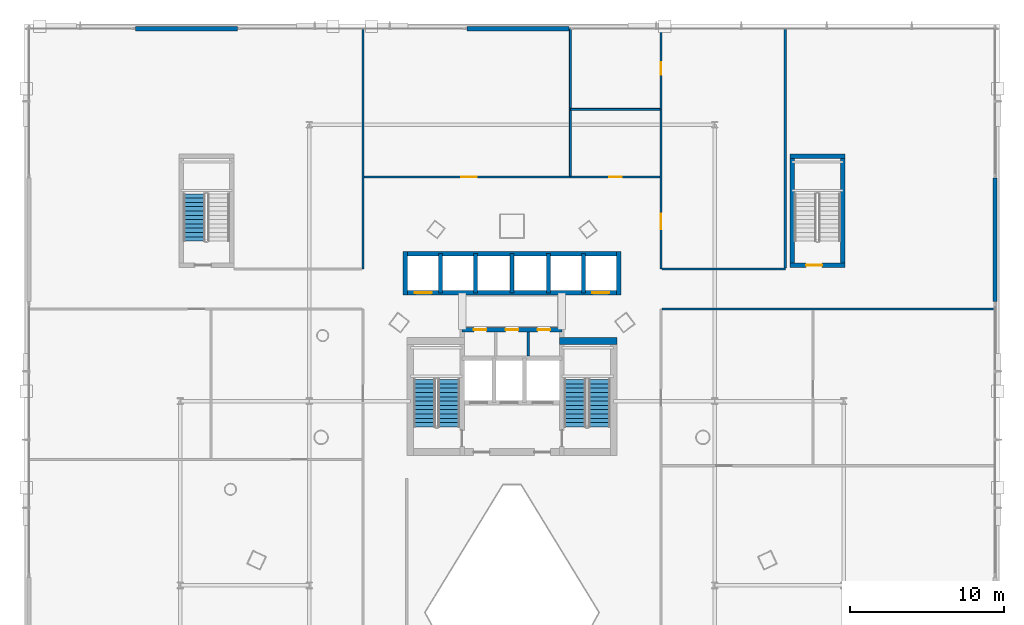
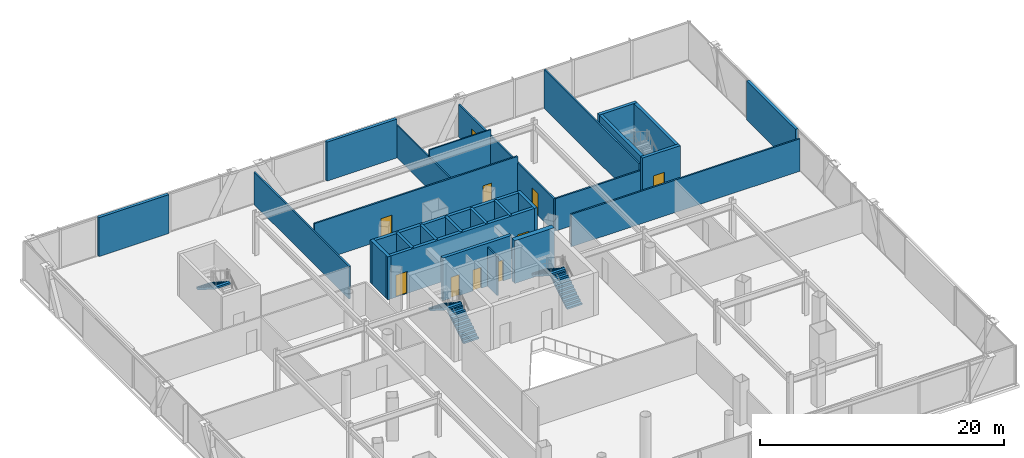
# One storey, part 38 of 46: 27 walls, 10 doors, 5 stair flights, 10 openings, 3 elements without a shape of their own.
"""IFC4 building model written with IfcOpenShell, lengths in metres."""

from ifc_helpers import new_model, si_unit, direction, frame, frame_2d, origin, place, context, subcontext, project, spatial, polyline, rectangle, outline, extrude, material, layer, layer_set, type_object, element, fill, aggregate, save


model = new_model("IFC4")

# Units and contexts
model_context = context("Model", 3, precision=1e-05, world=origin(), true_north=direction((0.0, 1.0)))
body_context = subcontext(model_context, "Body", "Model", "MODEL_VIEW")
ifc_project = project(units=[si_unit("LENGTHUNIT", "METRE"), si_unit("AREAUNIT", "SQUARE_METRE"), si_unit("VOLUMEUNIT", "CUBIC_METRE"), si_unit("PLANEANGLEUNIT", "RADIAN"), si_unit("MASSUNIT", "GRAM", prefix="KILO")], contexts=[model_context])

# Site, building, storey
site_placement = place(None, origin())
site = spatial("IfcSite", under=ifc_project, at=site_placement, CompositionType="ELEMENT")
building_placement = place(site_placement, origin())
building = spatial("IfcBuilding", under=site, at=building_placement, Name="Orvanel Arch Residences", CompositionType="ELEMENT")
storey_placement = place(building_placement, frame((0.0, 0.0, 14.10009765625)))
storey = spatial("IfcBuildingStorey", under=building, at=storey_placement, Name="L03", CompositionType="ELEMENT", Elevation=14.10009765625)

# Walls
ifc_material_1 = material(Name="Precast concrete N50 (50 MPa)", Category="concrete")
ifc_layer_1 = layer(ifc_material_1, 0.280029296875)
ifc_layer_set_1 = layer_set([ifc_layer_1], Name="Precast concrete N50 (50 MPa)")
wall_type_1 = type_object("IfcWallType", Name="EW-POD-280", PredefinedType="SOLIDWALL", material=ifc_layer_set_1)
wall_1_placement = place(storey_placement, frame((8.47998046875, 54.25, 0.0), z_axis=(0.0, 0.0, 1.0), x_axis=(1.0, 0.0, 0.0)))
element("IfcWall", 1, at=wall_1_placement, inside=storey, type_object=wall_type_1, Name="L03 Podium Solid North Panel Wall NP1", PredefinedType="SOLIDWALL", context=body_context, shape_type="SweptSolid", body=[
    extrude(rectangle(XDim=6.64013671875, YDim=0.280029296875, at=frame_2d((3.320068359375, 0.0))), origin(), (0.0, 0.0, 1.0), 3.89990234375),
])
wall_2_placement = place(storey_placement, frame((30.080078125, 54.25, 0.0), z_axis=(0.0, 0.0, 1.0), x_axis=(1.0, 0.0, 0.0)))
element("IfcWall", 2, at=wall_2_placement, inside=storey, type_object=wall_type_1, Name="L03 Podium Solid North Panel Wall NP2", PredefinedType="SOLIDWALL", context=body_context, shape_type="SweptSolid", body=[
    extrude(rectangle(XDim=6.639892578125, YDim=0.280029296875, at=frame_2d((3.31982421875, 0.0))), origin(), (0.0, 0.0, 1.0), 3.89990234375),
])
wall_3_placement = place(storey_placement, frame((64.449951171875, 36.47998046875, 0.0), z_axis=(0.0, 0.0, 1.0), x_axis=(0.0, 1.0, 0.0)))
element("IfcWall", 3, at=wall_3_placement, inside=storey, type_object=wall_type_1, Name="L03 Podium Solid E Panel Wall 2", PredefinedType="SOLIDWALL", context=body_context, shape_type="SweptSolid", body=[
    extrude(rectangle(XDim=8.0400390625, YDim=0.280029296875, at=frame_2d((4.02001953125, 0.0))), origin(), (0.0, 0.0, 1.0), 3.89990234375),
])
ifc_material_2 = material(Name="Concrete N50 (50 MPa)", Category="concrete")
ifc_layer_2 = layer(ifc_material_2, 0.25)
ifc_layer_set_2 = layer_set([ifc_layer_2], Name="Concrete N50 (50 MPa)")
wall_type_2 = type_object("IfcWallType", Name="SW-CORE-250", PredefinedType="SHEAR", material=ifc_layer_set_2)
for number, where, z_axis, x_axis, name in (
    (4, (28.35009765625, 37.050048828125, 0.0), (0.0, 0.0, 1.0), (0.0, 1.0, 0.0), "L03 Passenger Lift Inter-Shaft Wall P13"),
    (5, (30.625, 37.050048828125, 0.0), (0.0, 0.0, 1.0), (0.0, 1.0, 0.0), "L03 Passenger Lift Inter-Shaft Wall P35"),
    (6, (33.0, 37.050048828125, 0.0), (0.0, 0.0, 1.0), (0.0, 1.0, 0.0), "L03 Passenger Lift Inter-Shaft Wall P56"),
    (7, (35.375, 37.050048828125, 0.0), (0.0, 0.0, 1.0), (0.0, 1.0, 0.0), "L03 Passenger Lift Inter-Shaft Wall P64"),
    (8, (37.64990234375, 37.050048828125, 0.0), (0.0, 0.0, 1.0), (0.0, 1.0, 0.0), "L03 Passenger Lift Inter-Shaft Wall P42"),
):
    element("IfcWall", number, at=place(storey_placement, frame(where, z_axis=z_axis, x_axis=x_axis)), inside=storey, type_object=wall_type_2, Name=name, PredefinedType="SHEAR", context=body_context, shape_type="SweptSolid", body=[
        extrude(rectangle(XDim=2.550048828125, YDim=0.25, at=frame_2d((1.27490234375, 0.0))), origin(), (0.0, 0.0, 1.0), 4.2998046875),
    ])

# Wall, openings, doors
ifc_material_3 = material(Name="Concrete S80 (80 MPa)", Category="concrete")
ifc_layer_3 = layer(ifc_material_3, 0.300048828125)
ifc_layer_set_3 = layer_set([ifc_layer_3], Name="Concrete S80 (80 MPa)")
wall_type_3 = type_object("IfcWallType", Name="SW-CORE-300", PredefinedType="SHEAR", material=ifc_layer_set_3)
wall_4_placement = place(storey_placement, frame((29.75, 34.64990234375, 0.0), z_axis=(0.0, 0.0, 1.0), x_axis=(1.0, 0.0, 0.0)))
wall_4 = element("IfcWall", 9, at=wall_4_placement, inside=storey, type_object=wall_type_3, Name="L03 Core Service Band North Shear Wall", PredefinedType="SHEAR", context=body_context, shape_type="SweptSolid", body=[
    extrude(rectangle(XDim=6.5, YDim=0.300048828125, at=frame_2d((3.25, 0.0))), origin(), (0.0, 0.0, 1.0), 4.2998046875),
])
opening_1_placement = place(wall_4_placement, frame((0.764892578125, 0.0, 0.0)))
opening_1 = element("IfcOpeningElement", 10, at=opening_1_placement, cuts=wall_4, Name="Opening DS-082", PredefinedType="OPENING", context=body_context, shape_type="SweptSolid", body=[
    extrude(rectangle(XDim=0.820068359375, YDim=2.10009765625, at=frame_2d((0.41015625, 1.050048828125))), frame((0.0, 0.159912109375, 0.0), z_axis=(0.0, -1.0, 0.0), x_axis=(1.0, 0.0, 0.0)), (0.0, 0.0, 1.0), 0.320068359375),
])
opening_2_placement = place(wall_4_placement, frame((2.840087890625, 0.0, 0.0)))
opening_2 = element("IfcOpeningElement", 11, at=opening_2_placement, cuts=wall_4, Name="Opening DS-082", PredefinedType="OPENING", context=body_context, shape_type="SweptSolid", body=[
    extrude(rectangle(XDim=0.820068359375, YDim=2.10009765625, at=frame_2d((0.41015625, 1.050048828125))), frame((0.0, 0.159912109375, 0.0), z_axis=(0.0, -1.0, 0.0), x_axis=(1.0, 0.0, 0.0)), (0.0, 0.0, 1.0), 0.320068359375),
])
opening_3_placement = place(wall_4_placement, frame((4.9150390625, 0.0, 0.0)))
opening_3 = element("IfcOpeningElement", 12, at=opening_3_placement, cuts=wall_4, Name="Opening DS-082", PredefinedType="OPENING", context=body_context, shape_type="SweptSolid", body=[
    extrude(rectangle(XDim=0.820068359375, YDim=2.10009765625, at=frame_2d((0.41015625, 1.050048828125))), frame((0.0, 0.159912109375, 0.0), z_axis=(0.0, -1.0, 0.0), x_axis=(1.0, 0.0, 0.0)), (0.0, 0.0, 1.0), 0.320068359375),
])
ifc_material_4 = material(Name="Galvanised steel fire-resisting door assembly", Category="steel")
door_type_1 = type_object("IfcDoorType", Name="DR-SVC-820", OperationType="NOTDEFINED", PredefinedType="DOOR", material=ifc_material_4)
door_1_placement = place(opening_1_placement, origin())
door_1 = element("IfcDoor", 13, at=door_1_placement, inside=storey, type_object=door_type_1, Name="DR-L03-CSVC-1 L03 Housekeeping Store Door", OperationType="SINGLE_SWING_LEFT", OverallHeight=2.10009765625, OverallWidth=0.820068359375, PredefinedType="DOOR", context=body_context, shape_type="SweptSolid", body=[
    extrude(rectangle(XDim=0.820068359375, YDim=2.10009765625, at=frame_2d((0.41015625, 1.050048828125))), frame((0.0, 0.02490234375, 0.0), z_axis=(0.0, -1.0, 0.0), x_axis=(1.0, 0.0, 0.0)), (0.0, 0.0, 1.0), 0.050048828125),
])
fill(opening_1, door_1)
door_2_placement = place(opening_2_placement, origin())
door_2 = element("IfcDoor", 14, at=door_2_placement, inside=storey, type_object=door_type_1, Name="DR-L03-CSVC-2 L03 Cleaner's Store Door", OperationType="SINGLE_SWING_LEFT", OverallHeight=2.10009765625, OverallWidth=0.820068359375, PredefinedType="DOOR", context=body_context, shape_type="SweptSolid", body=[
    extrude(rectangle(XDim=0.820068359375, YDim=2.10009765625, at=frame_2d((0.41015625, 1.050048828125))), frame((0.0, 0.02490234375, 0.0), z_axis=(0.0, -1.0, 0.0), x_axis=(1.0, 0.0, 0.0)), (0.0, 0.0, 1.0), 0.050048828125),
])
fill(opening_2, door_2)
door_3_placement = place(opening_3_placement, origin())
door_3 = element("IfcDoor", 15, at=door_3_placement, inside=storey, type_object=door_type_1, Name="DR-L03-CSVC-3 L03 Comms Riser Store Door", OperationType="SINGLE_SWING_LEFT", OverallHeight=2.10009765625, OverallWidth=0.820068359375, PredefinedType="DOOR", context=body_context, shape_type="SweptSolid", body=[
    extrude(rectangle(XDim=0.820068359375, YDim=2.10009765625, at=frame_2d((0.41015625, 1.050048828125))), frame((0.0, 0.02490234375, 0.0), z_axis=(0.0, -1.0, 0.0), x_axis=(1.0, 0.0, 0.0)), (0.0, 0.0, 1.0), 0.050048828125),
])
fill(opening_3, door_3)

wall_5_placement = place(storey_placement, frame((40.10009765625, 37.050048828125, 0.0), z_axis=(0.0, 0.0, 1.0), x_axis=(-1.0, 0.0, 0.0)))
wall_5 = element("IfcWall", 16, at=wall_5_placement, inside=storey, type_object=wall_type_3, Name="L03 Passenger Lift Bank Front Shear Wall", PredefinedType="SHEAR", context=body_context, shape_type="SweptSolid", body=[
    extrude(rectangle(XDim=14.2001953125, YDim=0.300048828125, at=frame_2d((7.10009765625, 0.0))), origin(), (0.0, 0.0, 1.0), 4.2998046875),
])
opening_4_placement = place(wall_5_placement, frame((12.324951171875, 0.0, 0.0)))
opening_4 = element("IfcOpeningElement", 17, at=opening_4_placement, cuts=wall_5, Name="Opening LD-110", PredefinedType="OPENING", context=body_context, shape_type="SweptSolid", body=[
    extrude(rectangle(XDim=1.10009765625, YDim=2.199951171875, at=frame_2d((0.550048828125, 1.10009765625))), frame((0.0, 0.159912109375, 0.0), z_axis=(0.0, -1.0, 0.0), x_axis=(1.0, 0.0, 0.0)), (0.0, 0.0, 1.0), 0.320068359375),
])
opening_5_placement = place(wall_5_placement, frame((0.77490234375, 0.0, 0.0)))
opening_5 = element("IfcOpeningElement", 18, at=opening_5_placement, cuts=wall_5, Name="Opening LD-110", PredefinedType="OPENING", context=body_context, shape_type="SweptSolid", body=[
    extrude(rectangle(XDim=1.10009765625, YDim=2.199951171875, at=frame_2d((0.550048828125, 1.10009765625))), frame((0.0, 0.159912109375, 0.0), z_axis=(0.0, -1.0, 0.0), x_axis=(1.0, 0.0, 0.0)), (0.0, 0.0, 1.0), 0.320068359375),
])
door_type_2 = type_object("IfcDoorType", Name="DR-LFT-1100", OperationType="NOTDEFINED", PredefinedType="DOOR", material=ifc_material_4)
door_4_placement = place(opening_4_placement, origin())
door_4 = element("IfcDoor", 19, at=door_4_placement, inside=storey, type_object=door_type_2, Name="LD-P1-L03 L03 Passenger Lift P1 Sliding Landing Door", OperationType="DOUBLE_DOOR_SLIDING", OverallHeight=2.199951171875, OverallWidth=1.10009765625, PredefinedType="DOOR", context=body_context, shape_type="SweptSolid", body=[
    extrude(rectangle(XDim=1.10009765625, YDim=2.199951171875, at=frame_2d((0.550048828125, 1.10009765625))), frame((0.0, 0.02490234375, 0.0), z_axis=(0.0, -1.0, 0.0), x_axis=(1.0, 0.0, 0.0)), (0.0, 0.0, 1.0), 0.050048828125),
])
fill(opening_4, door_4)
door_5_placement = place(opening_5_placement, origin())
door_5 = element("IfcDoor", 20, at=door_5_placement, inside=storey, type_object=door_type_2, Name="LD-P2-L03 L03 Passenger Lift P2 Sliding Landing Door", OperationType="DOUBLE_DOOR_SLIDING", OverallHeight=2.199951171875, OverallWidth=1.10009765625, PredefinedType="DOOR", context=body_context, shape_type="SweptSolid", body=[
    extrude(rectangle(XDim=1.10009765625, YDim=2.199951171875, at=frame_2d((0.550048828125, 1.10009765625))), frame((0.0, 0.02490234375, 0.0), z_axis=(0.0, -1.0, 0.0), x_axis=(1.0, 0.0, 0.0)), (0.0, 0.0, 1.0), 0.050048828125),
])
fill(opening_5, door_5)

# Walls
wall_6_placement = place(storey_placement, frame((25.89990234375, 39.60009765625, 0.0), z_axis=(0.0, 0.0, 1.0), x_axis=(1.0, 0.0, 0.0)))
element("IfcWall", 21, at=wall_6_placement, inside=storey, type_object=wall_type_3, Name="L03 Passenger Lift Bank North Shear Wall", PredefinedType="SHEAR", context=body_context, shape_type="SweptSolid", body=[
    extrude(rectangle(XDim=14.2001953125, YDim=0.300048828125, at=frame_2d((7.10009765625, 0.0))), origin(), (0.0, 0.0, 1.0), 4.2998046875),
])
for number, where, z_axis, x_axis, name in (
    (22, (26.050048828125, 36.89990234375, 0.0), (0.0, 0.0, 1.0), (0.0, 1.0, 0.0), "L03 Passenger Lift Bank West Shear Wall"),
    (23, (39.949951171875, 36.89990234375, 0.0), (0.0, 0.0, 1.0), (0.0, 1.0, 0.0), "L03 Passenger Lift Bank East Shear Wall"),
):
    element("IfcWall", number, at=place(storey_placement, frame(where, z_axis=z_axis, x_axis=x_axis)), inside=storey, type_object=wall_type_3, Name=name, PredefinedType="SHEAR", context=body_context, shape_type="SweptSolid", body=[
        extrude(rectangle(XDim=2.85009765625, YDim=0.300048828125, at=frame_2d((1.425048828125, 0.0))), origin(), (0.0, 0.0, 1.0), 4.2998046875),
    ])
for number, where, z_axis, x_axis, name in (
    (24, (51.25, 38.699951171875, 0.0), (0.0, 0.0, 1.0), (0.0, 1.0, 0.0), "L03 ST4 West Shear Wall"),
    (25, (54.550048828125, 38.699951171875, 0.0), (0.0, 0.0, 1.0), (0.0, 1.0, 0.0), "L03 ST4 East Shear Wall"),
):
    element("IfcWall", number, at=place(storey_placement, frame(where, z_axis=z_axis, x_axis=x_axis)), inside=storey, type_object=wall_type_3, Name=name, PredefinedType="SHEAR", context=body_context, shape_type="SweptSolid", body=[
        extrude(rectangle(XDim=7.400146484375, YDim=0.300048828125, at=frame_2d((3.7001953125, 0.0))), origin(), (0.0, 0.0, 1.0), 4.2998046875),
    ])
wall_7_placement = place(storey_placement, frame((51.10009765625, 45.949951171875, 0.0), z_axis=(0.0, 0.0, 1.0), x_axis=(1.0, 0.0, 0.0)))
element("IfcWall", 26, at=wall_7_placement, inside=storey, type_object=wall_type_3, Name="L03 ST4 North Shear Wall", PredefinedType="SHEAR", context=body_context, shape_type="SweptSolid", body=[
    extrude(rectangle(XDim=3.599853515625, YDim=0.300048828125, at=frame_2d((1.7998046875, 0.0))), origin(), (0.0, 0.0, 1.0), 4.2998046875),
])

# Wall, opening, door
wall_8_placement = place(storey_placement, frame((51.10009765625, 38.85009765625, 0.0), z_axis=(0.0, 0.0, 1.0), x_axis=(1.0, 0.0, 0.0)))
wall_8 = element("IfcWall", 27, at=wall_8_placement, inside=storey, type_object=wall_type_3, Name="L03 ST4 South Shear Wall", PredefinedType="SHEAR", context=body_context, shape_type="SweptSolid", body=[
    extrude(rectangle(XDim=3.599853515625, YDim=0.300048828125, at=frame_2d((1.7998046875, 0.0))), origin(), (0.0, 0.0, 1.0), 4.2998046875),
])
opening_6_placement = place(wall_8_placement, frame((1.050048828125, 0.0, 0.0)))
opening_6 = element("IfcOpeningElement", 28, at=opening_6_placement, cuts=wall_8, Name="Opening DF-120", PredefinedType="OPENING", context=body_context, shape_type="SweptSolid", body=[
    extrude(rectangle(XDim=1.050048828125, YDim=2.14990234375, at=frame_2d((0.52490234375, 1.074951171875))), frame((0.0, 0.159912109375, 0.0), z_axis=(0.0, -1.0, 0.0), x_axis=(1.0, 0.0, 0.0)), (0.0, 0.0, 1.0), 0.320068359375),
])
door_type_3 = type_object("IfcDoorType", Name="DR-FD120-1050", OperationType="NOTDEFINED", PredefinedType="DOOR", material=ifc_material_4)
door_6_placement = place(opening_6_placement, origin())
door_6 = element("IfcDoor", 29, at=door_6_placement, inside=storey, type_object=door_type_3, Name="DR-L03-ST4 L03 ST4 Exit Door", OperationType="SINGLE_SWING_LEFT", OverallHeight=2.14990234375, OverallWidth=1.050048828125, PredefinedType="DOOR", context=body_context, shape_type="SweptSolid", body=[
    extrude(rectangle(XDim=1.050048828125, YDim=2.14990234375, at=frame_2d((0.52490234375, 1.074951171875))), frame((0.0, 0.02490234375, 0.0), z_axis=(0.0, -1.0, 0.0), x_axis=(1.0, 0.0, 0.0)), (0.0, 0.0, 1.0), 0.050048828125),
])
fill(opening_6, door_6)

# Walls
ifc_layer_4 = layer(ifc_material_3, 0.449951171875)
ifc_layer_set_4 = layer_set([ifc_layer_4], Name="Concrete S80 (80 MPa)")
wall_type_4 = type_object("IfcWallType", Name="SW-CORE-450", PredefinedType="SHEAR", material=ifc_layer_set_4)
wall_9_placement = place(storey_placement, frame((36.10009765625, 33.925048828125, 0.0), z_axis=(0.0, 0.0, 1.0), x_axis=(1.0, 0.0, 0.0)))
element("IfcWall", 30, at=wall_9_placement, inside=storey, type_object=wall_type_4, Name="L03 East Stair North Shear Wall", PredefinedType="SHEAR", context=body_context, shape_type="SweptSolid", body=[
    extrude(rectangle(XDim=3.75, YDim=0.449951171875, at=frame_2d((1.875, 0.0))), origin(), (0.0, 0.0, 1.0), 4.2998046875),
])
ifc_material_5 = material(Name="Acoustic plasterboard lined twin-stud partition", Category="gypsum")
ifc_layer_5 = layer(ifc_material_5, 0.14990234375)
ifc_layer_set_5 = layer_set([ifc_layer_5], Name="Acoustic plasterboard lined twin-stud partition")
wall_type_5 = type_object("IfcWallType", Name="W-POD-150", PredefinedType="PARTITIONING", material=ifc_layer_set_5)
wall_10_placement = place(storey_placement, frame((42.760009765625, 36.0, 0.0), z_axis=(0.0, 0.0, 1.0), x_axis=(1.0, 0.0, 0.0)))
element("IfcWall", 31, at=wall_10_placement, inside=storey, type_object=wall_type_5, Name="L03 East Wing North Wall", PredefinedType="PARTITIONING", context=body_context, shape_type="SweptSolid", body=[
    extrude(rectangle(XDim=21.675048828125, YDim=0.14990234375, at=frame_2d((10.83740234375, 0.0))), origin(), (0.0, 0.0, 1.0), 3.2529296875),
])
wall_11_placement = place(storey_placement, frame((23.300048828125, 38.60009765625, 0.0), z_axis=(0.0, 0.0, 1.0), x_axis=(0.0, 1.0, 0.0)))
element("IfcWall", 32, at=wall_11_placement, inside=storey, type_object=wall_type_5, Name="L03 W Outer Corridor Wall", PredefinedType="PARTITIONING", context=body_context, shape_type="SweptSolid", body=[
    extrude(rectangle(XDim=15.635009765625, YDim=0.14990234375, at=frame_2d((7.8173828125, 0.0))), origin(), (0.0, 0.0, 1.0), 3.2529296875),
])

# Wall, openings, doors
wall_12_placement = place(storey_placement, frame((42.699951171875, 38.60009765625, 0.0), z_axis=(0.0, 0.0, 1.0), x_axis=(0.0, 1.0, 0.0)))
wall_12 = element("IfcWall", 33, at=wall_12_placement, inside=storey, type_object=wall_type_5, Name="L03 E Outer Corridor Wall", PredefinedType="PARTITIONING", context=body_context, shape_type="SweptSolid", body=[
    extrude(rectangle(XDim=15.635009765625, YDim=0.14990234375, at=frame_2d((7.8173828125, 0.0))), origin(), (0.0, 0.0, 1.0), 3.2529296875),
])
opening_7_placement = place(wall_12_placement, frame((12.639892578125, 0.0, 0.0)))
opening_7 = element("IfcOpeningElement", 34, at=opening_7_placement, cuts=wall_12, Name="Opening DS-082", PredefinedType="OPENING", context=body_context, shape_type="SweptSolid", body=[
    extrude(rectangle(XDim=0.820068359375, YDim=2.10009765625, at=frame_2d((0.41015625, 1.050048828125))), frame((0.0, 0.0849609375, 0.0), z_axis=(0.0, -1.0, 0.0), x_axis=(1.0, 0.0, 0.0)), (0.0, 0.0, 1.0), 0.169921875),
])
opening_8_placement = place(wall_12_placement, frame((2.60009765625, 0.0, 0.0)))
opening_8 = element("IfcOpeningElement", 35, at=opening_8_placement, cuts=wall_12, Name="Opening DP-100", PredefinedType="OPENING", context=body_context, shape_type="SweptSolid", body=[
    extrude(rectangle(XDim=1.0, YDim=2.199951171875, at=frame_2d((0.5, 1.10009765625))), frame((0.0, 0.0849609375, 0.0), z_axis=(0.0, -1.0, 0.0), x_axis=(1.0, 0.0, 0.0)), (0.0, 0.0, 1.0), 0.169921875),
])
ifc_material_6 = material(Name="Solid-core European oak veneer fire door leaf", Category="wood")
door_type_4 = type_object("IfcDoorType", Name="DR-POD-1000", OperationType="NOTDEFINED", PredefinedType="DOOR", material=ifc_material_6)
door_7_placement = place(opening_8_placement, origin())
door_7 = element("IfcDoor", 36, at=door_7_placement, inside=storey, type_object=door_type_4, Name="DR-L03-NE L03 Medical Records Archive Store Door", OperationType="SINGLE_SWING_LEFT", OverallHeight=2.199951171875, OverallWidth=1.0, PredefinedType="DOOR", context=body_context, shape_type="SweptSolid", body=[
    extrude(rectangle(XDim=1.0, YDim=2.199951171875, at=frame_2d((0.5, 1.10009765625))), frame((0.0, 0.02490234375, 0.0), z_axis=(0.0, -1.0, 0.0), x_axis=(1.0, 0.0, 0.0)), (0.0, 0.0, 1.0), 0.050048828125),
])
fill(opening_8, door_7)
door_8_placement = place(opening_7_placement, origin())
door_8 = element("IfcDoor", 37, at=door_8_placement, inside=storey, type_object=door_type_1, Name="DR-L03-JAN L03 Cleaners Door", OperationType="SINGLE_SWING_LEFT", OverallHeight=2.10009765625, OverallWidth=0.820068359375, PredefinedType="DOOR", context=body_context, shape_type="SweptSolid", body=[
    extrude(rectangle(XDim=0.820068359375, YDim=2.10009765625, at=frame_2d((0.41015625, 1.050048828125))), frame((0.0, 0.02490234375, 0.0), z_axis=(0.0, -1.0, 0.0), x_axis=(1.0, 0.0, 0.0)), (0.0, 0.0, 1.0), 0.050048828125),
])
fill(opening_7, door_8)

# Walls
wall_13_placement = place(storey_placement, frame((42.760009765625, 38.60009765625, 0.0), z_axis=(0.0, 0.0, 1.0), x_axis=(1.0, 0.0, 0.0)))
element("IfcWall", 38, at=wall_13_placement, inside=storey, type_object=wall_type_5, Name="L03 NE Suite South Wall", PredefinedType="PARTITIONING", context=body_context, shape_type="SweptSolid", body=[
    extrude(rectangle(XDim=8.0400390625, YDim=0.14990234375, at=frame_2d((4.02001953125, 0.0))), origin(), (0.0, 0.0, 1.0), 3.2529296875),
])
wall_14_placement = place(storey_placement, frame((50.800048828125, 38.659912109375, 0.0), z_axis=(0.0, 0.0, 1.0), x_axis=(0.0, 1.0, 0.0)))
element("IfcWall", 39, at=wall_14_placement, inside=storey, type_object=wall_type_5, Name="L03 NE Suite East Wall", PredefinedType="PARTITIONING", context=body_context, shape_type="SweptSolid", body=[
    extrude(rectangle(XDim=15.5751953125, YDim=0.14990234375, at=frame_2d((7.78759765625, 0.0))), origin(), (0.0, 0.0, 1.0), 3.89990234375),
])

# Wall, openings, doors
wall_15_placement = place(storey_placement, frame((23.360107421875, 44.60009765625, 0.0), z_axis=(0.0, 0.0, 1.0), x_axis=(1.0, 0.0, 0.0)))
wall_15 = element("IfcWall", 40, at=wall_15_placement, inside=storey, type_object=wall_type_5, Name="L03 N Corridor Wall", PredefinedType="PARTITIONING", context=body_context, shape_type="SweptSolid", body=[
    extrude(rectangle(XDim=19.27978515625, YDim=0.14990234375, at=frame_2d((9.639892578125, 0.0))), origin(), (0.0, 0.0, 1.0), 3.89990234375),
])
opening_9_placement = place(wall_15_placement, frame((6.340087890625, 0.0, 0.0)))
opening_9 = element("IfcOpeningElement", 41, at=opening_9_placement, cuts=wall_15, Name="Opening DP-100", PredefinedType="OPENING", context=body_context, shape_type="SweptSolid", body=[
    extrude(rectangle(XDim=1.0, YDim=2.199951171875, at=frame_2d((0.5, 1.10009765625))), frame((0.0, 0.0849609375, 0.0), z_axis=(0.0, -1.0, 0.0), x_axis=(1.0, 0.0, 0.0)), (0.0, 0.0, 1.0), 0.169921875),
])
opening_10_placement = place(wall_15_placement, frame((15.97998046875, 0.0, 0.0)))
opening_10 = element("IfcOpeningElement", 42, at=opening_10_placement, cuts=wall_15, Name="Opening DW-082", PredefinedType="OPENING", context=body_context, shape_type="SweptSolid", body=[
    extrude(rectangle(XDim=0.820068359375, YDim=2.10009765625, at=frame_2d((0.41015625, 1.050048828125))), frame((0.0, 0.0849609375, 0.0), z_axis=(0.0, -1.0, 0.0), x_axis=(1.0, 0.0, 0.0)), (0.0, 0.0, 1.0), 0.169921875),
])
door_9_placement = place(opening_9_placement, origin())
door_9 = element("IfcDoor", 43, at=door_9_placement, inside=storey, type_object=door_type_4, Name="DR-L03-N L03 Diagnostic Radiology Clinic Door", OperationType="SINGLE_SWING_LEFT", OverallHeight=2.199951171875, OverallWidth=1.0, PredefinedType="DOOR", context=body_context, shape_type="SweptSolid", body=[
    extrude(rectangle(XDim=1.0, YDim=2.199951171875, at=frame_2d((0.5, 1.10009765625))), frame((0.0, 0.02490234375, 0.0), z_axis=(0.0, -1.0, 0.0), x_axis=(1.0, 0.0, 0.0)), (0.0, 0.0, 1.0), 0.050048828125),
])
fill(opening_9, door_9)
door_type_5 = type_object("IfcDoorType", Name="DR-WET-820", OperationType="NOTDEFINED", PredefinedType="DOOR", material=ifc_material_6)
door_10_placement = place(opening_10_placement, origin())
door_10 = element("IfcDoor", 44, at=door_10_placement, inside=storey, type_object=door_type_5, Name="DR-L03-WC L03 Accessible WC Door", OperationType="SINGLE_SWING_RIGHT", OverallHeight=2.10009765625, OverallWidth=0.820068359375, PredefinedType="DOOR", context=body_context, shape_type="SweptSolid", body=[
    extrude(rectangle(XDim=0.820068359375, YDim=2.10009765625, at=frame_2d((0.41015625, 1.050048828125))), frame((0.0, 0.02490234375, 0.0), z_axis=(0.0, -1.0, 0.0), x_axis=(1.0, 0.0, 0.0)), (0.0, 0.0, 1.0), 0.050048828125),
])
fill(opening_10, door_10)

# Walls
ifc_material_7 = material(Name="Fire-rated plasterboard lined steel stud partition", Category="steel")
ifc_layer_6 = layer(ifc_material_7, 0.14990234375)
ifc_layer_set_6 = layer_set([ifc_layer_6], Name="Fire-rated plasterboard lined steel stud partition")
wall_type_6 = type_object("IfcWallType", Name="W-ST-150", PredefinedType="PARTITIONING", material=ifc_layer_set_6)
wall_16_placement = place(storey_placement, frame((34.050048828125, 32.93505859375, 0.0), z_axis=(0.0, 0.0, 1.0), x_axis=(0.0, 1.0, 0.0)))
element("IfcWall", 45, at=wall_16_placement, inside=storey, type_object=wall_type_6, Name="L03 Core Service Partition 2", PredefinedType="PARTITIONING", context=body_context, shape_type="SweptSolid", body=[
    extrude(rectangle(XDim=1.579833984375, YDim=0.14990234375, at=frame_2d((0.7900390625, 0.0))), origin(), (0.0, 0.0, 1.0), 3.89990234375),
])
ifc_layer_7 = layer(ifc_material_5, 0.1201171875)
ifc_layer_set_7 = layer_set([ifc_layer_7], Name="Acoustic plasterboard lined twin-stud partition")
wall_type_7 = type_object("IfcWallType", Name="W-WET-120", PredefinedType="PARTITIONING", material=ifc_layer_set_7)
wall_17_placement = place(storey_placement, frame((36.800048828125, 44.659912109375, 0.0), z_axis=(0.0, 0.0, 1.0), x_axis=(0.0, 1.0, 0.0)))
element("IfcWall", 46, at=wall_17_placement, inside=storey, type_object=wall_type_7, Name="L03 WC West Wall", PredefinedType="PARTITIONING", context=body_context, shape_type="SweptSolid", body=[
    extrude(rectangle(XDim=9.5751953125, YDim=0.1201171875, at=frame_2d((4.78759765625, 0.0))), origin(), (0.0, 0.0, 1.0), 3.2529296875),
])
wall_18_placement = place(storey_placement, frame((36.800048828125, 49.0, 0.0), z_axis=(0.0, 0.0, 1.0), x_axis=(1.0, 0.0, 0.0)))
element("IfcWall", 47, at=wall_18_placement, inside=storey, type_object=wall_type_7, Name="L03 WC North Wall", PredefinedType="PARTITIONING", context=body_context, shape_type="SweptSolid", body=[
    extrude(rectangle(XDim=5.83984375, YDim=0.1201171875, at=frame_2d((2.919921875, 0.0))), origin(), (0.0, 0.0, 1.0), 3.89990234375),
])

# Stair, stair flights
stair_type = type_object("IfcStairType", Name="STR-DOG-178", PredefinedType="USERDEFINED", material=ifc_material_1)
stair_1_placement = place(storey_placement, origin())
stair_1 = element("IfcStair", 48, at=stair_1_placement, inside=storey, type_object=stair_type, Name="L03 Fire-Isolated Core Exit Stair 1", ObjectType="TWO_RETURN_STAIR", PredefinedType="USERDEFINED")
stair_flight_type_1 = type_object("IfcStairFlightType", Name="SFL-C1-178", PredefinedType="STRAIGHT", material=ifc_material_1)
stair_flight_1_placement = place(storey_placement, frame((28.889892578125, 28.320068359375, 0.0), z_axis=(0.0, 0.0, 1.0), x_axis=(0.0, 1.0, 0.0)))
stair_flight_1 = element("IfcStairFlight", 49, at=stair_flight_1_placement, type_object=stair_flight_type_1, Name="ST-1 flight 1", NumberOfRisers=12, NumberOfTreads=11, PredefinedType="STRAIGHT", RiserHeight=0.179166667, TreadLength=0.28, context=body_context, shape_type="SweptSolid", body=[
    extrude(outline(polyline([(0.0, 0.0), (0.0, 0.17919921875), (0.280029296875, 0.17919921875), (0.280029296875, 0.3583984375), (0.56005859375, 0.3583984375), (0.56005859375, 0.53759765625), (0.840087890625, 0.53759765625), (0.840087890625, 0.716552734375), (1.1201171875, 0.716552734375), (1.1201171875, 0.895751953125), (1.39990234375, 0.895751953125), (1.39990234375, 1.074951171875), (1.679931640625, 1.074951171875), (1.679931640625, 1.254150390625), (1.9599609375, 1.254150390625), (1.9599609375, 1.433349609375), (2.239990234375, 1.433349609375), (2.239990234375, 1.612548828125), (2.52001953125, 1.612548828125), (2.52001953125, 1.791748046875), (2.800048828125, 1.791748046875), (2.800048828125, 1.970947265625), (3.080078125, 1.970947265625), (3.080078125, 2.14990234375), (3.080078125, 1.79296875), (0.278076171875, 0.0), (0.0, 0.0)])), frame((0.0, 0.7099609375, 0.0), z_axis=(0.0, -1.0, 0.0), x_axis=(1.0, 0.0, 0.0)), (0.0, 0.0, 1.0), 1.419921875),
])
stair_flight_2_placement = place(storey_placement, frame((27.31005859375, 31.39990234375, 2.14990234375), z_axis=(0.0, 0.0, 1.0), x_axis=(0.0, -1.0, 0.0)))
stair_flight_2 = element("IfcStairFlight", 50, at=stair_flight_2_placement, type_object=stair_flight_type_1, Name="ST-1 flight 2", NumberOfRisers=12, NumberOfTreads=11, PredefinedType="STRAIGHT", RiserHeight=0.179166667, TreadLength=0.28, context=body_context, shape_type="SweptSolid", body=[
    extrude(outline(polyline([(0.0, 0.0), (0.0, 0.17919921875), (0.280029296875, 0.17919921875), (0.280029296875, 0.3583984375), (0.56005859375, 0.3583984375), (0.56005859375, 0.53759765625), (0.840087890625, 0.53759765625), (0.840087890625, 0.716552734375), (1.1201171875, 0.716552734375), (1.1201171875, 0.895751953125), (1.39990234375, 0.895751953125), (1.39990234375, 1.074951171875), (1.679931640625, 1.074951171875), (1.679931640625, 1.254150390625), (1.9599609375, 1.254150390625), (1.9599609375, 1.433349609375), (2.239990234375, 1.433349609375), (2.239990234375, 1.612548828125), (2.52001953125, 1.612548828125), (2.52001953125, 1.791748046875), (2.800048828125, 1.791748046875), (2.800048828125, 1.970947265625), (3.080078125, 1.970947265625), (3.080078125, 2.14990234375), (3.080078125, 1.79296875), (0.278076171875, 0.0), (0.0, 0.0)])), frame((0.0, 0.7099609375, 0.0), z_axis=(0.0, -1.0, 0.0), x_axis=(1.0, 0.0, 0.0)), (0.0, 0.0, 1.0), 1.419921875),
])
aggregate(stair_1, [stair_flight_1, stair_flight_2])

stair_2_placement = place(storey_placement, origin())
stair_2 = element("IfcStair", 51, at=stair_2_placement, inside=storey, type_object=stair_type, Name="L03 Fire-Isolated Core Exit Stair 2", ObjectType="TWO_RETURN_STAIR", PredefinedType="USERDEFINED")
stair_flight_type_2 = type_object("IfcStairFlightType", Name="SFL-C2-178", PredefinedType="STRAIGHT", material=ifc_material_1)
stair_flight_3_placement = place(storey_placement, frame((38.68994140625, 28.320068359375, 0.0), z_axis=(0.0, 0.0, 1.0), x_axis=(0.0, 1.0, 0.0)))
stair_flight_3 = element("IfcStairFlight", 52, at=stair_flight_3_placement, type_object=stair_flight_type_2, Name="ST-2 flight 1", NumberOfRisers=12, NumberOfTreads=11, PredefinedType="STRAIGHT", RiserHeight=0.179166667, TreadLength=0.28, context=body_context, shape_type="SweptSolid", body=[
    extrude(outline(polyline([(0.0, 0.0), (0.0, 0.17919921875), (0.280029296875, 0.17919921875), (0.280029296875, 0.3583984375), (0.56005859375, 0.3583984375), (0.56005859375, 0.53759765625), (0.840087890625, 0.53759765625), (0.840087890625, 0.716552734375), (1.1201171875, 0.716552734375), (1.1201171875, 0.895751953125), (1.39990234375, 0.895751953125), (1.39990234375, 1.074951171875), (1.679931640625, 1.074951171875), (1.679931640625, 1.254150390625), (1.9599609375, 1.254150390625), (1.9599609375, 1.433349609375), (2.239990234375, 1.433349609375), (2.239990234375, 1.612548828125), (2.52001953125, 1.612548828125), (2.52001953125, 1.791748046875), (2.800048828125, 1.791748046875), (2.800048828125, 1.970947265625), (3.080078125, 1.970947265625), (3.080078125, 2.14990234375), (3.080078125, 1.79296875), (0.278076171875, 0.0), (0.0, 0.0)])), frame((0.0, 0.7099609375, 0.0), z_axis=(0.0, -1.0, 0.0), x_axis=(1.0, 0.0, 0.0)), (0.0, 0.0, 1.0), 1.419921875),
])
stair_flight_4_placement = place(storey_placement, frame((37.110107421875, 31.39990234375, 2.14990234375), z_axis=(0.0, 0.0, 1.0), x_axis=(0.0, -1.0, 0.0)))
stair_flight_4 = element("IfcStairFlight", 53, at=stair_flight_4_placement, type_object=stair_flight_type_2, Name="ST-2 flight 2", NumberOfRisers=12, NumberOfTreads=11, PredefinedType="STRAIGHT", RiserHeight=0.179166667, TreadLength=0.28, context=body_context, shape_type="SweptSolid", body=[
    extrude(outline(polyline([(0.0, 0.0), (0.0, 0.17919921875), (0.280029296875, 0.17919921875), (0.280029296875, 0.3583984375), (0.56005859375, 0.3583984375), (0.56005859375, 0.53759765625), (0.840087890625, 0.53759765625), (0.840087890625, 0.716552734375), (1.1201171875, 0.716552734375), (1.1201171875, 0.895751953125), (1.39990234375, 0.895751953125), (1.39990234375, 1.074951171875), (1.679931640625, 1.074951171875), (1.679931640625, 1.254150390625), (1.9599609375, 1.254150390625), (1.9599609375, 1.433349609375), (2.239990234375, 1.433349609375), (2.239990234375, 1.612548828125), (2.52001953125, 1.612548828125), (2.52001953125, 1.791748046875), (2.800048828125, 1.791748046875), (2.800048828125, 1.970947265625), (3.080078125, 1.970947265625), (3.080078125, 2.14990234375), (3.080078125, 1.79296875), (0.278076171875, 0.0), (0.0, 0.0)])), frame((0.0, 0.7099609375, 0.0), z_axis=(0.0, -1.0, 0.0), x_axis=(1.0, 0.0, 0.0)), (0.0, 0.0, 1.0), 1.419921875),
])
aggregate(stair_2, [stair_flight_3, stair_flight_4])

# Stair, stair flight
stair_3_placement = place(storey_placement, origin())
stair_3 = element("IfcStair", 54, at=stair_3_placement, inside=storey, type_object=stair_type, Name="L03 West Podium Fire-Isolated Exit Stair 3", ObjectType="TWO_RETURN_STAIR", PredefinedType="USERDEFINED")
stair_flight_type_3 = type_object("IfcStairFlightType", Name="SFL-C3-178", PredefinedType="STRAIGHT", material=ifc_material_1)
stair_flight_5_placement = place(storey_placement, frame((12.31005859375, 43.5, 2.14990234375), z_axis=(0.0, 0.0, 1.0), x_axis=(0.0, -1.0, 0.0)))
stair_flight_5 = element("IfcStairFlight", 55, at=stair_flight_5_placement, type_object=stair_flight_type_3, Name="ST-3 flight 2", NumberOfRisers=12, NumberOfTreads=11, PredefinedType="STRAIGHT", RiserHeight=0.179166667, TreadLength=0.28, context=body_context, shape_type="SweptSolid", body=[
    extrude(outline(polyline([(0.0, 0.0), (0.0, 0.17919921875), (0.280029296875, 0.17919921875), (0.280029296875, 0.3583984375), (0.56005859375, 0.3583984375), (0.56005859375, 0.53759765625), (0.840087890625, 0.53759765625), (0.840087890625, 0.716552734375), (1.1201171875, 0.716552734375), (1.1201171875, 0.895751953125), (1.39990234375, 0.895751953125), (1.39990234375, 1.074951171875), (1.679931640625, 1.074951171875), (1.679931640625, 1.254150390625), (1.9599609375, 1.254150390625), (1.9599609375, 1.433349609375), (2.239990234375, 1.433349609375), (2.239990234375, 1.612548828125), (2.52001953125, 1.612548828125), (2.52001953125, 1.791748046875), (2.800048828125, 1.791748046875), (2.800048828125, 1.970947265625), (3.080078125, 1.970947265625), (3.080078125, 2.14990234375), (3.080078125, 1.79296875), (0.278076171875, 0.0), (0.0, 0.0)])), frame((0.0, 0.7099609375, 0.0), z_axis=(0.0, -1.0, 0.0), x_axis=(1.0, 0.0, 0.0)), (0.0, 0.0, 1.0), 1.419921875),
])
aggregate(stair_3, [stair_flight_5])

save(model, "model.ifc")
